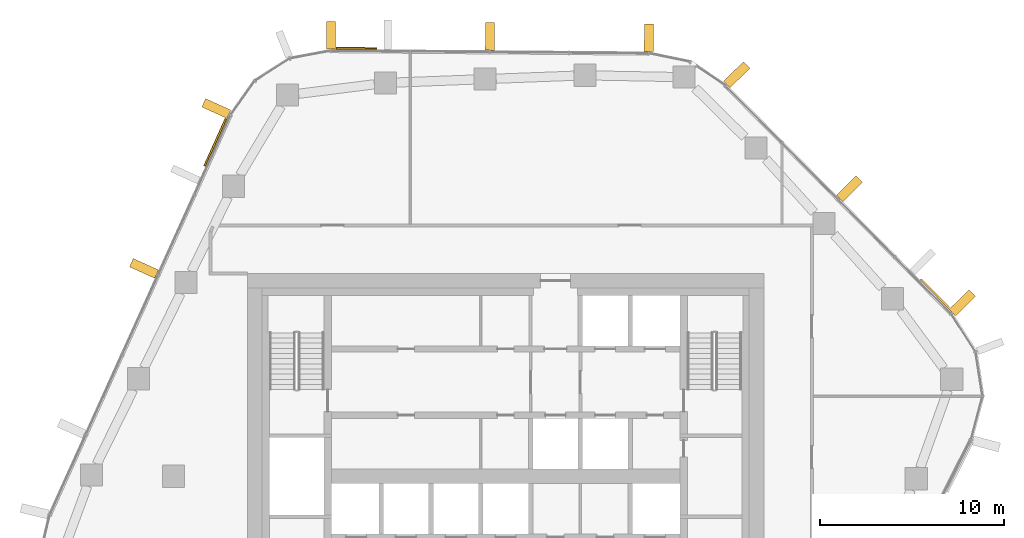
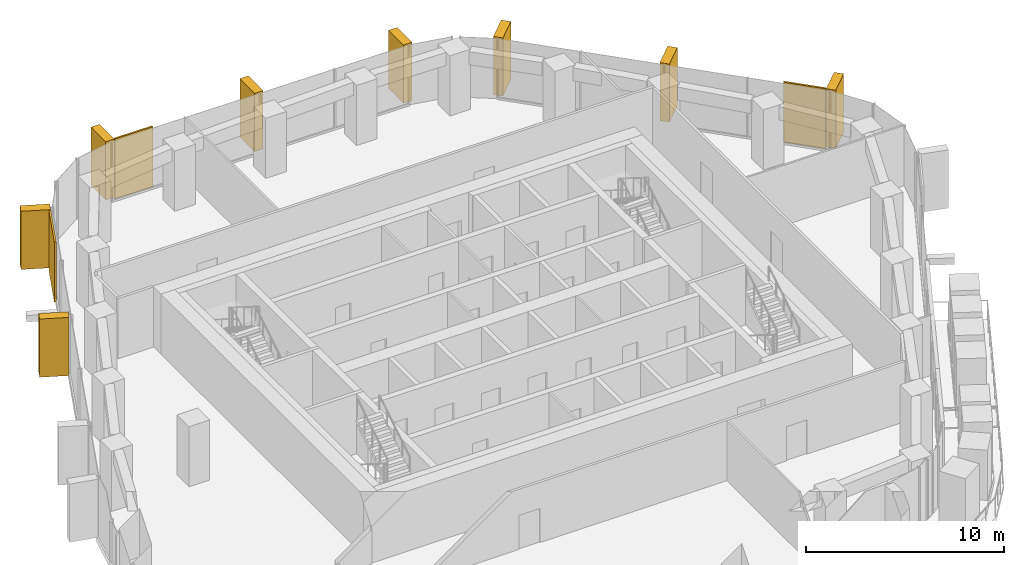
# One storey, part 17 of 17: 11 coverings, 3 elements without a shape of their own.
"""IFC4 building model written with IfcOpenShell, lengths in metres."""

from ifc_helpers import new_model, si_unit, direction, frame, origin, origin_2d, place, context, subcontext, project, spatial, rectangle, extrude, material, layer, layer_set, material_profile, profile_set, type_object, element, aggregate, save


model = new_model("IFC4")

# Units and contexts
model_context = context("Model", 3, precision=1e-05, world=origin(), true_north=direction((0.0, 1.0)))
body_context = subcontext(model_context, "Body", "Model", "MODEL_VIEW")
ifc_project = project(units=[si_unit("LENGTHUNIT", "METRE"), si_unit("AREAUNIT", "SQUARE_METRE"), si_unit("VOLUMEUNIT", "CUBIC_METRE"), si_unit("PLANEANGLEUNIT", "RADIAN"), si_unit("MASSUNIT", "GRAM", prefix="KILO")], contexts=[model_context])

# Site, building, storey
site_placement = place(None, origin())
site = spatial("IfcSite", under=ifc_project, at=site_placement, CompositionType="ELEMENT")
building_placement = place(site_placement, origin())
building = spatial("IfcBuilding", under=site, at=building_placement, Name="Dongbaek Canopy Tower", CompositionType="ELEMENT")
storey_placement = place(building_placement, frame((0.0, 0.0, 179.60009765625)))
storey = spatial("IfcBuildingStorey", under=building, at=storey_placement, Name="L39", CompositionType="ELEMENT", Elevation=179.60009765625)

# Curtain wall, covering
ifc_material_1 = material(Name="Aluminium 6063-T6 pale anodised", Category="aluminium")
ifc_layer_1 = layer(ifc_material_1, 0.199951171875)
ifc_layer_set_1 = layer_set([ifc_layer_1], Name="CW-1 unitised tower curtain wall")
curtain_wall_type = type_object("IfcCurtainWallType", Name="CW-1 unitised tower curtain wall", PredefinedType="NOTDEFINED", material=ifc_layer_set_1)
curtain_wall_1_placement = place(storey_placement, origin())
curtain_wall_1 = element("IfcCurtainWall", 1, at=curtain_wall_1_placement, inside=storey, type_object=curtain_wall_type, Name="CW-1 curtain wall F0.1", PredefinedType="NOTDEFINED")
ifc_material_2 = material(Name="Perforated aluminium 6063-T6 pale metal screen", Category="aluminium")
ifc_layer_2 = layer(ifc_material_2, 0.10009765625)
ifc_layer_set_2 = layer_set([ifc_layer_2], Name="Facet screen FS1 100 pale metal")
covering_type_1 = type_object("IfcCoveringType", Name="Facet screen FS1 100 pale metal", PredefinedType="CLADDING", material=ifc_layer_set_2)
covering_1_placement = place(storey_placement, frame((23.27392578125, 9.8984375, 0.0), z_axis=(0.0, 0.0, 1.0), x_axis=(-0.703201146399, 0.710990961759, 0.0)))
covering_1 = element("IfcCovering", 2, at=covering_1_placement, type_object=covering_type_1, Name="Facet screen L39 F0", PredefinedType="CLADDING", context=body_context, shape_type="SweptSolid", body=[
    extrude(rectangle(XDim=2.200927734375, YDim=0.10009765625, at=origin_2d()), origin(), (0.0, 0.0, 1.0), 3.699951171875),
])

curtain_wall_2_placement = place(storey_placement, origin())
curtain_wall_2 = element("IfcCurtainWall", 3, at=curtain_wall_2_placement, inside=storey, type_object=curtain_wall_type, Name="CW-1 curtain wall F1.1", PredefinedType="NOTDEFINED")
covering_2_placement = place(storey_placement, frame((-8.0908203125, 23.197509765625, 0.0), z_axis=(0.0, 0.0, 1.0), x_axis=(-0.999969212451, 0.007846919787, 0.0)))
covering_2 = element("IfcCovering", 4, at=covering_2_placement, type_object=covering_type_1, Name="Facet screen L39 F1", PredefinedType="CLADDING", context=body_context, shape_type="SweptSolid", body=[
    extrude(rectangle(XDim=2.189697265625, YDim=0.10009765625, at=origin_2d()), origin(), (0.0, 0.0, 1.0), 3.699951171875),
])

curtain_wall_3_placement = place(storey_placement, origin())
curtain_wall_3 = element("IfcCurtainWall", 5, at=curtain_wall_3_placement, inside=storey, type_object=curtain_wall_type, Name="CW-1 curtain wall F2.1", PredefinedType="NOTDEFINED")
covering_3_placement = place(storey_placement, frame((-15.7451171875, 18.098876953125, 0.0), z_axis=(0.0, 0.0, 1.0), x_axis=(-0.412080567907, -0.911147411539, 0.0)))
covering_3 = element("IfcCovering", 6, at=covering_3_placement, type_object=covering_type_1, Name="Facet screen L39 F2", PredefinedType="CLADDING", context=body_context, shape_type="SweptSolid", body=[
    extrude(rectangle(XDim=2.814697265625, YDim=0.10009765625, at=origin_2d()), origin(), (0.0, 0.0, 1.0), 3.699951171875),
])

# Covering
ifc_material_3 = material(Name="Aluminium 6063-T6 pale metal fin", Category="aluminium")
ifc_material_profile = material_profile(ifc_material_3, rectangle(XDim=1.5, YDim=0.5, at=origin_2d()), Name="Fin FN1 500 x 1500 pale metal")
ifc_profile_set = profile_set([ifc_material_profile], Name="Aluminium 6063-T6 pale metal fin")
covering_type_2 = type_object("IfcCoveringType", Name="Fin FN1 500 x 1500 pale metal", PredefinedType="CLADDING", material=ifc_profile_set)
covering_4_placement = place(storey_placement, frame((24.752197265625, 9.40478515625, 0.119873046875), z_axis=(0.0, 0.0, 1.0), x_axis=(0.710991357912, 0.703200745857, 0.0)))
covering_4 = element("IfcCovering", 7, at=covering_4_placement, type_object=covering_type_2, Name="Fin F0.1.1", PredefinedType="CLADDING", context=body_context, shape_type="SweptSolid", body=[
    extrude(rectangle(XDim=1.5, YDim=0.5, at=origin_2d()), origin(), (0.0, 0.0, 1.0), 3.580078125),
])

covering_5_placement = place(storey_placement, frame((18.63916015625, 15.585693359375, 0.119873046875), z_axis=(0.0, 0.0, 1.0), x_axis=(0.710991357912, 0.703200745857, 0.0)))
covering_5 = element("IfcCovering", 8, at=covering_5_placement, type_object=covering_type_2, Name="Fin F0.1.3", PredefinedType="CLADDING", context=body_context, shape_type="SweptSolid", body=[
    extrude(rectangle(XDim=1.5, YDim=0.5, at=origin_2d()), origin(), (0.0, 0.0, 1.0), 3.580078125),
])

covering_6_placement = place(storey_placement, frame((12.525634765625, 21.766845703125, 0.119873046875), z_axis=(0.0, 0.0, 1.0), x_axis=(0.710991357912, 0.703200745857, 0.0)))
covering_6 = element("IfcCovering", 9, at=covering_6_placement, type_object=covering_type_2, Name="Fin F0.1.5", PredefinedType="CLADDING", context=body_context, shape_type="SweptSolid", body=[
    extrude(rectangle(XDim=1.5, YDim=0.5, at=origin_2d()), origin(), (0.0, 0.0, 1.0), 3.580078125),
])

aggregate(curtain_wall_1, [covering_4, covering_5, covering_6, covering_1])

covering_7_placement = place(storey_placement, frame((7.7626953125, 23.777099609375, 0.119873046875), z_axis=(0.0, 0.0, 1.0), x_axis=(0.007847305301, 0.999969209426, 0.0)))
covering_7 = element("IfcCovering", 10, at=covering_7_placement, type_object=covering_type_2, Name="Fin F1.1.1", PredefinedType="CLADDING", context=body_context, shape_type="SweptSolid", body=[
    extrude(rectangle(XDim=1.5, YDim=0.5, at=origin_2d()), origin(), (0.0, 0.0, 1.0), 3.580078125),
])

covering_8_placement = place(storey_placement, frame((-0.853759765625, 23.8447265625, 0.119873046875), z_axis=(0.0, 0.0, 1.0), x_axis=(0.007847305301, 0.999969209426, 0.0)))
covering_8 = element("IfcCovering", 11, at=covering_8_placement, type_object=covering_type_2, Name="Fin F1.1.3", PredefinedType="CLADDING", context=body_context, shape_type="SweptSolid", body=[
    extrude(rectangle(XDim=1.5, YDim=0.5, at=origin_2d()), origin(), (0.0, 0.0, 1.0), 3.580078125),
])

covering_9_placement = place(storey_placement, frame((-9.47021484375, 23.912353515625, 0.119873046875), z_axis=(0.0, 0.0, 1.0), x_axis=(0.007847305301, 0.999969209426, 0.0)))
covering_9 = element("IfcCovering", 12, at=covering_9_placement, type_object=covering_type_2, Name="Fin F1.1.5", PredefinedType="CLADDING", context=body_context, shape_type="SweptSolid", body=[
    extrude(rectangle(XDim=1.5, YDim=0.5, at=origin_2d()), origin(), (0.0, 0.0, 1.0), 3.580078125),
])

aggregate(curtain_wall_2, [covering_7, covering_8, covering_9, covering_2])

covering_10_placement = place(storey_placement, frame((-15.68701171875, 19.935302734375, 0.119873046875), z_axis=(0.0, 0.0, 1.0), x_axis=(-0.911147578037, 0.412080199763, 0.0)))
covering_10 = element("IfcCovering", 13, at=covering_10_placement, type_object=covering_type_2, Name="Fin F2.1.1", PredefinedType="CLADDING", context=body_context, shape_type="SweptSolid", body=[
    extrude(rectangle(XDim=1.5, YDim=0.5, at=origin_2d()), origin(), (0.0, 0.0, 1.0), 3.580078125),
])

covering_11_placement = place(storey_placement, frame((-19.60693359375, 11.268310546875, 0.119873046875), z_axis=(0.0, 0.0, 1.0), x_axis=(-0.911147578037, 0.412080199763, 0.0)))
covering_11 = element("IfcCovering", 14, at=covering_11_placement, type_object=covering_type_2, Name="Fin F2.1.3", PredefinedType="CLADDING", context=body_context, shape_type="SweptSolid", body=[
    extrude(rectangle(XDim=1.5, YDim=0.5, at=origin_2d()), origin(), (0.0, 0.0, 1.0), 3.580078125),
])

aggregate(curtain_wall_3, [covering_10, covering_11, covering_3])

save(model, "model.ifc")
